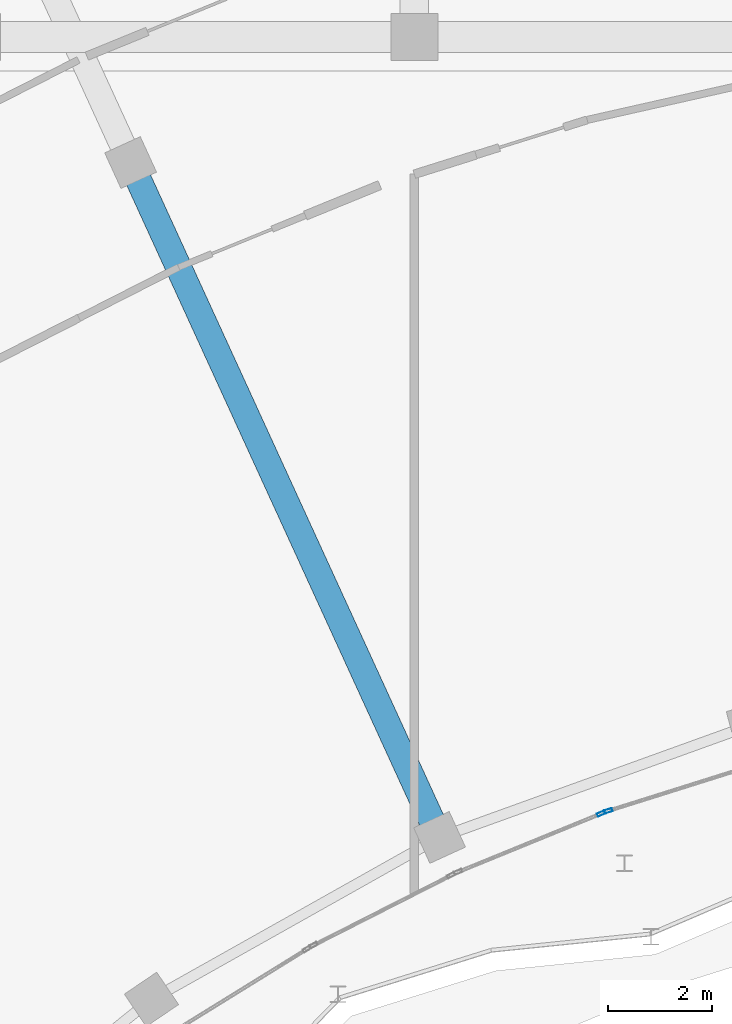
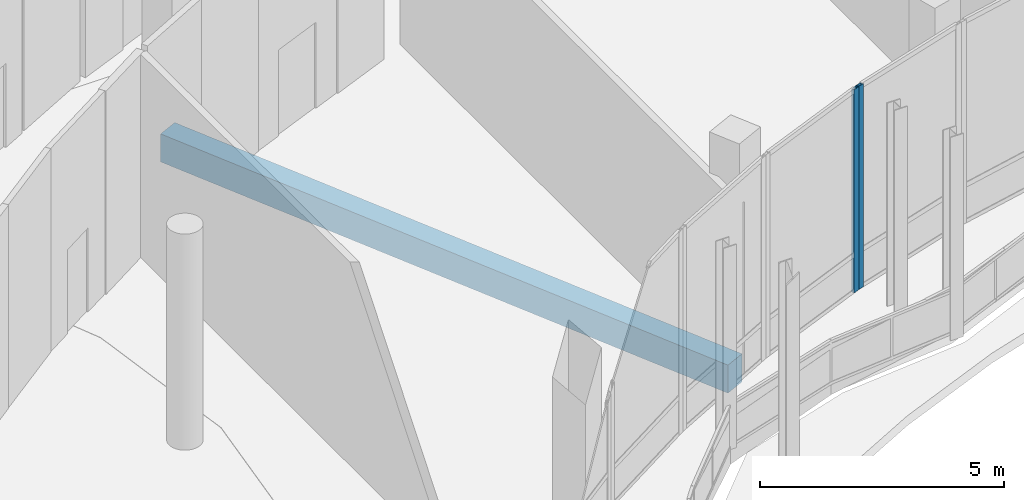
# One storey, part 63 of 158: 2 members, 1 beam, 2 elements without a shape of their own.
"""IFC4 building model written with IfcOpenShell, lengths in metres."""

from ifc_helpers import new_model, si_unit, direction, frame, origin, origin_2d, place, context, subcontext, project, spatial, rectangle, hollow_rectangle, extrude, material, material_profile, profile_set, type_object, element, aggregate, save


model = new_model("IFC4")

# Units and contexts
model_context = context("Model", 3, precision=1e-05, world=origin(), true_north=direction((0.0, 1.0)))
body_context = subcontext(model_context, "Body", "Model", "MODEL_VIEW")
ifc_project = project(units=[si_unit("LENGTHUNIT", "METRE"), si_unit("AREAUNIT", "SQUARE_METRE"), si_unit("VOLUMEUNIT", "CUBIC_METRE"), si_unit("PLANEANGLEUNIT", "RADIAN"), si_unit("MASSUNIT", "GRAM", prefix="KILO")], contexts=[model_context])

# Site, building, storey
site_placement = place(None, origin())
site = spatial("IfcSite", under=ifc_project, at=site_placement, CompositionType="ELEMENT")
building_placement = place(site_placement, origin())
building = spatial("IfcBuilding", under=site, at=building_placement, Name="Selatvlak General Hospital", CompositionType="ELEMENT")
storey_placement = place(building_placement, origin())
storey = spatial("IfcBuildingStorey", under=building, at=storey_placement, Name="L00", CompositionType="ELEMENT", Elevation=0.0)

# Beam
ifc_material_1 = material(Name="Concrete C40/50", Category="concrete")
ifc_material_profile_1 = material_profile(ifc_material_1, rectangle(XDim=0.5, YDim=0.699951171875, at=origin_2d()), Name="RC-BM 500x700")
ifc_profile_set_1 = profile_set([ifc_material_profile_1], Name="Concrete C40/50")
beam_type = type_object("IfcBeamType", Name="BM-G03", PredefinedType="BEAM", material=ifc_profile_set_1)
beam_placement = place(storey_placement, frame((118.153076171875, 64.238037109375, -0.699951171875), z_axis=(0.416206307352, -0.909270207211, 0.0), x_axis=(0.909270207211, 0.416206307352, 0.0)))
element("IfcBeam", 1, at=beam_placement, inside=storey, type_object=beam_type, Name="Beam BMR-L00-0352", PredefinedType="BEAM", context=body_context, shape_type="SweptSolid", body=[
    extrude(rectangle(XDim=0.5, YDim=0.699951171875, at=origin_2d()), origin(), (0.0, 0.0, 1.0), 14.25),
])

# Curtain wall, member
ifc_material_2 = material(Name="Solar-control Low-E double glazing", Category="glass")
curtain_wall_type_1 = type_object("IfcCurtainWallType", Name="CW-CW-01", PredefinedType="USERDEFINED", material=ifc_material_2)
curtain_wall_1_placement = place(storey_placement, origin())
curtain_wall_1 = element("IfcCurtainWall", 2, at=curtain_wall_1_placement, inside=storey, type_object=curtain_wall_type_1, Name="Glazed facade curtain wall CW-L00-0035", ObjectType="UNITISED CURTAIN WALL", PredefinedType="USERDEFINED")
ifc_material_3 = material(Name="Dark anodised aluminium mullion", Category="aluminium")
ifc_material_profile_2 = material_profile(ifc_material_3, hollow_rectangle(XDim=0.06494140625, YDim=0.159912109375, WallThickness=0.00390625, at=origin_2d()), Name="AL-MUL 65x160x4")
ifc_profile_set_2 = profile_set([ifc_material_profile_2], Name="Dark anodised aluminium mullion")
member_type = type_object("IfcMemberType", Name="CWM-01", PredefinedType="MULLION", material=ifc_profile_set_2)
member_1_placement = place(storey_placement, frame((127.323974609375, 51.790771484375, 0.0), z_axis=(0.0, 0.0, 1.0), x_axis=(0.300246961422, -0.953861500511, 0.0)))
member_1 = element("IfcMember", 3, at=member_1_placement, type_object=member_type, Name="CW-01 mullion 2", PredefinedType="MULLION", context=body_context, shape_type="SweptSolid", body=[
    extrude(hollow_rectangle(XDim=0.06494140625, YDim=0.159912109375, WallThickness=0.00390625, at=origin_2d()), origin(), (0.0, 0.0, 1.0), 5.080078125),
])
aggregate(curtain_wall_1, [member_1])

curtain_wall_type_2 = type_object("IfcCurtainWallType", Name="CW-CW-02", PredefinedType="USERDEFINED", material=ifc_material_2)
curtain_wall_2_placement = place(storey_placement, origin())
curtain_wall_2 = element("IfcCurtainWall", 4, at=curtain_wall_2_placement, inside=storey, type_object=curtain_wall_type_2, Name="Glazed facade curtain wall CW-L00-0036", ObjectType="UNITISED CURTAIN WALL", PredefinedType="USERDEFINED")
member_2_placement = place(storey_placement, frame((127.18896484375, 51.73974609375, 0.0), z_axis=(0.0, 0.0, 1.0), x_axis=(0.377977773903, -0.925814669594, 0.0)))
member_2 = element("IfcMember", 5, at=member_2_placement, type_object=member_type, Name="CW-02 mullion 1", PredefinedType="MULLION", context=body_context, shape_type="SweptSolid", body=[
    extrude(hollow_rectangle(XDim=0.06494140625, YDim=0.159912109375, WallThickness=0.00390625, at=origin_2d()), origin(), (0.0, 0.0, 1.0), 5.080078125),
])
aggregate(curtain_wall_2, [member_2])

save(model, "model.ifc")
